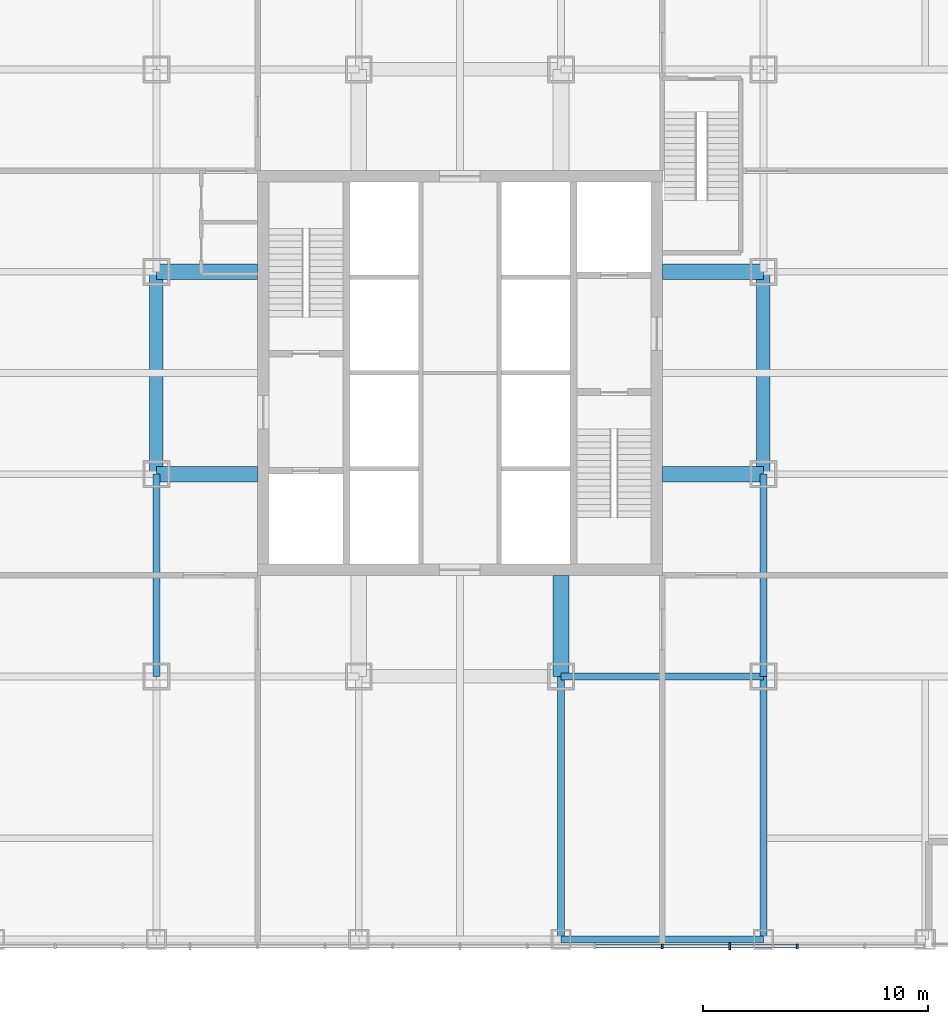
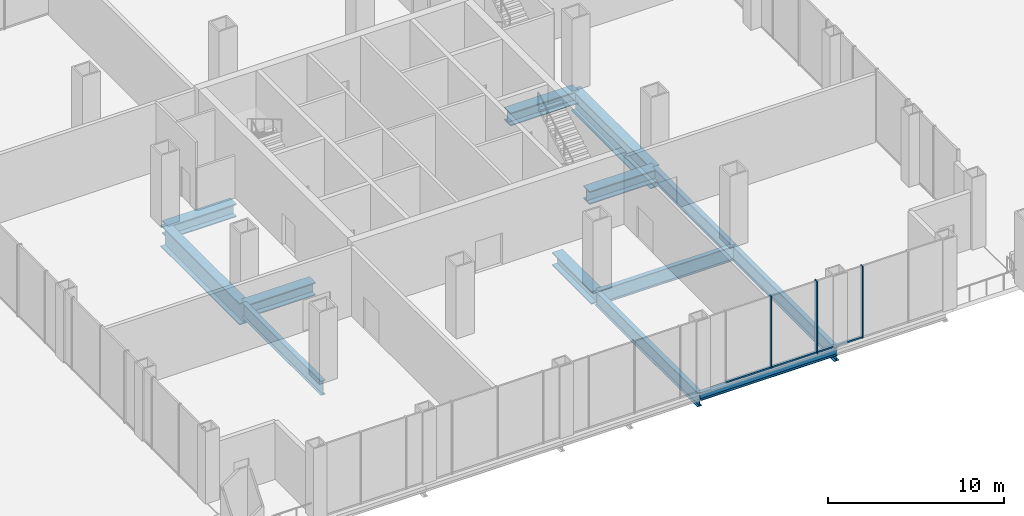
# One storey, part 5 of 16: 13 beams, 6 members, 1 element without a shape of its own.
"""IFC4 building model written with IfcOpenShell, lengths in metres."""

from ifc_helpers import new_model, si_unit, direction, frame, origin, origin_2d, place, context, subcontext, project, spatial, rectangle, i_section, extrude, material, layer, layer_set, material_profile, profile_set, type_object, element, aggregate, save


model = new_model("IFC4")

# Units and contexts
model_context = context("Model", 3, precision=1e-05, world=origin(), true_north=direction((0.0, 1.0)))
body_context = subcontext(model_context, "Body", "Model", "MODEL_VIEW")
ifc_project = project(units=[si_unit("LENGTHUNIT", "METRE"), si_unit("AREAUNIT", "SQUARE_METRE"), si_unit("VOLUMEUNIT", "CUBIC_METRE"), si_unit("PLANEANGLEUNIT", "RADIAN"), si_unit("MASSUNIT", "GRAM", prefix="KILO")], contexts=[model_context])

# Site, building, storey
site_placement = place(None, origin())
site = spatial("IfcSite", under=ifc_project, at=site_placement, CompositionType="ELEMENT")
building_placement = place(site_placement, origin())
building = spatial("IfcBuilding", under=site, at=building_placement, Name="Malebo Sky Hospital", CompositionType="ELEMENT")
storey_placement = place(building_placement, frame((0.0, 0.0, 26.0)))
storey = spatial("IfcBuildingStorey", under=building, at=storey_placement, Name="L05", CompositionType="ELEMENT", Elevation=26.0)

# Curtain wall, members
ifc_material_1 = material(Name="Anodised aluminium, natural silver", Category="aluminium")
ifc_layer = layer(ifc_material_1, 0.25)
ifc_layer_set = layer_set([ifc_layer], Name="PLANT LOUVRE SCREEN")
curtain_wall_type = type_object("IfcCurtainWallType", Name="PLANT LOUVRE SCREEN", PredefinedType="NOTDEFINED", material=ifc_layer_set)
curtain_wall_placement = place(storey_placement, origin())
curtain_wall = element("IfcCurtainWall", 1, at=curtain_wall_placement, inside=storey, type_object=curtain_wall_type, Name="PLANT curtain wall S", PredefinedType="NOTDEFINED")
ifc_material_profile_1 = material_profile(ifc_material_1, rectangle(XDim=0.14990234375, YDim=0.10009765625, at=origin_2d()), Name="ALUMINIUM TRANSOM 150x100")
ifc_profile_set_1 = profile_set([ifc_material_profile_1], Name="Anodised aluminium, natural silver")
member_type_1 = type_object("IfcMemberType", Name="ALUMINIUM TRANSOM 150x100", PredefinedType="USERDEFINED", material=ifc_profile_set_1)
member_1_placement = place(storey_placement, frame((74.96240234375, 36.5, 0.050048828125), z_axis=(-1.0, 0.0, 0.0), x_axis=(0.0, -1.0, 0.0)))
member_1 = element("IfcMember", 2, at=member_1_placement, type_object=member_type_1, Name="Transom 3", ObjectType="TRANSOM", PredefinedType="USERDEFINED", context=body_context, shape_type="SweptSolid", body=[
    extrude(rectangle(XDim=0.14990234375, YDim=0.10009765625, at=origin_2d()), origin(), (0.0, 0.0, 1.0), 2.9248046875),
])
member_2_placement = place(storey_placement, frame((71.96240234375, 36.5, 0.050048828125), z_axis=(-1.0, 0.0, 0.0), x_axis=(0.0, -1.0, 0.0)))
member_2 = element("IfcMember", 3, at=member_2_placement, type_object=member_type_1, Name="Transom 4", ObjectType="TRANSOM", PredefinedType="USERDEFINED", context=body_context, shape_type="SweptSolid", body=[
    extrude(rectangle(XDim=0.14990234375, YDim=0.10009765625, at=origin_2d()), origin(), (0.0, 0.0, 1.0), 2.9248046875),
])
member_3_placement = place(storey_placement, frame((68.96240234375, 36.5, 0.050048828125), z_axis=(-1.0, 0.0, 0.0), x_axis=(0.0, -1.0, 0.0)))
member_3 = element("IfcMember", 4, at=member_3_placement, type_object=member_type_1, Name="Transom 5", ObjectType="TRANSOM", PredefinedType="USERDEFINED", context=body_context, shape_type="SweptSolid", body=[
    extrude(rectangle(XDim=0.14990234375, YDim=0.10009765625, at=origin_2d()), origin(), (0.0, 0.0, 1.0), 2.9248046875),
])
ifc_material_profile_2 = material_profile(ifc_material_1, rectangle(XDim=0.074951171875, YDim=0.199951171875, at=origin_2d()), Name="CW5 ALUMINIUM FIN MULLION 75x200")
ifc_profile_set_2 = profile_set([ifc_material_profile_2], Name="Anodised aluminium, natural silver")
member_type_2 = type_object("IfcMemberType", Name="CW5 ALUMINIUM FIN MULLION 75x200", PredefinedType="MULLION", material=ifc_profile_set_2)
member_4_placement = place(storey_placement, frame((75.0, 36.5, 0.0), z_axis=(0.0, 0.0, 1.0), x_axis=(-1.0, 0.0, 0.0)))
member_4 = element("IfcMember", 5, at=member_4_placement, type_object=member_type_2, Name="Fin mullion 3", PredefinedType="MULLION", context=body_context, shape_type="SweptSolid", body=[
    extrude(rectangle(XDim=0.074951171875, YDim=0.199951171875, at=origin_2d()), origin(), (0.0, 0.0, 1.0), 5.0),
])
member_5_placement = place(storey_placement, frame((69.0, 36.5, 0.0), z_axis=(0.0, 0.0, 1.0), x_axis=(-1.0, 0.0, 0.0)))
member_5 = element("IfcMember", 6, at=member_5_placement, type_object=member_type_2, Name="Fin mullion 5", PredefinedType="MULLION", context=body_context, shape_type="SweptSolid", body=[
    extrude(rectangle(XDim=0.074951171875, YDim=0.199951171875, at=origin_2d()), origin(), (0.0, 0.0, 1.0), 5.0),
])
ifc_material_profile_3 = material_profile(ifc_material_1, rectangle(XDim=0.074951171875, YDim=0.300048828125, at=origin_2d()), Name="CW5 ALUMINIUM FIN MULLION 75x300")
ifc_profile_set_3 = profile_set([ifc_material_profile_3], Name="Anodised aluminium, natural silver")
member_type_3 = type_object("IfcMemberType", Name="CW5 ALUMINIUM FIN MULLION 75x300", PredefinedType="MULLION", material=ifc_profile_set_3)
member_6_placement = place(storey_placement, frame((72.0, 36.5, 0.0), z_axis=(0.0, 0.0, 1.0), x_axis=(-1.0, 0.0, 0.0)))
member_6 = element("IfcMember", 7, at=member_6_placement, type_object=member_type_3, Name="Fin mullion 4", PredefinedType="MULLION", context=body_context, shape_type="SweptSolid", body=[
    extrude(rectangle(XDim=0.074951171875, YDim=0.300048828125, at=origin_2d()), origin(), (0.0, 0.0, 1.0), 5.0),
])
aggregate(curtain_wall, [member_4, member_6, member_5, member_1, member_2, member_3])

# Beams
ifc_material_2 = material(Name="Steel S355", Category="steel")
ifc_material_profile_4 = material_profile(ifc_material_2, i_section(OverallWidth=0.305908203125, OverallDepth=0.52392578125, WebThickness=0.02099609375, FlangeThickness=0.0400390625, FilletRadius=0.027099609375, at=origin_2d()), Name="HEM 500")
ifc_profile_set_4 = profile_set([ifc_material_profile_4], Name="Steel S355")
beam_type_1 = type_object("IfcBeamType", Name="EDGE BEAM HEM 500", PredefinedType="BEAM", material=ifc_profile_set_4)
beam_1_placement = place(storey_placement, frame((64.5, 36.800048828125, -0.56201171875), z_axis=(1.0, 0.0, 0.0), x_axis=(0.0, 1.0, 0.0)))
element("IfcBeam", 8, at=beam_1_placement, inside=storey, type_object=beam_type_1, Name="Beam 037 L05", PredefinedType="BEAM", context=body_context, shape_type="SweptSolid", body=[
    extrude(i_section(OverallWidth=0.305908203125, OverallDepth=0.52392578125, WebThickness=0.02099609375, FlangeThickness=0.0400390625, FilletRadius=0.027099609375, at=origin_2d()), origin(), (0.0, 0.0, 1.0), 9.0),
])
ifc_material_profile_5 = material_profile(ifc_material_2, i_section(OverallWidth=0.300048828125, OverallDepth=1.0, WebThickness=0.01904296875, FlangeThickness=0.035888671875, FilletRadius=0.030029296875, at=origin_2d()), Name="HEB 1000")
ifc_profile_set_5 = profile_set([ifc_material_profile_5], Name="Steel S355")
beam_type_2 = type_object("IfcBeamType", Name="FLOOR BEAM HEB 1000", PredefinedType="BEAM", material=ifc_profile_set_5)
beam_2_placement = place(storey_placement, frame((46.5, 48.5, -0.800048828125), z_axis=(0.0, 1.0, 0.0), x_axis=(-1.0, 0.0, 0.0)))
element("IfcBeam", 9, at=beam_2_placement, inside=storey, type_object=beam_type_2, Name="Beam 008 L05", PredefinedType="BEAM", context=body_context, shape_type="SweptSolid", body=[
    extrude(i_section(OverallWidth=0.300048828125, OverallDepth=1.0, WebThickness=0.01904296875, FlangeThickness=0.035888671875, FilletRadius=0.030029296875, at=origin_2d()), origin(), (0.0, 0.0, 1.0), 9.0),
])
beam_3_placement = place(storey_placement, frame((64.5, 36.800048828125, -0.800048828125), z_axis=(0.0, 1.0, 0.0), x_axis=(-1.0, 0.0, 0.0)))
element("IfcBeam", 10, at=beam_3_placement, inside=storey, type_object=beam_type_2, Name="Beam 018 L05", PredefinedType="BEAM", context=body_context, shape_type="SweptSolid", body=[
    extrude(i_section(OverallWidth=0.300048828125, OverallDepth=1.0, WebThickness=0.01904296875, FlangeThickness=0.035888671875, FilletRadius=0.030029296875, at=origin_2d()), origin(), (0.0, 0.0, 1.0), 11.699951171875),
])
for number, where, z_axis, x_axis, name in (
    (11, (73.5, 48.5, -0.800048828125), (0.0, 1.0, 0.0), (-1.0, 0.0, 0.0), "Beam 023 L05"),
    (12, (64.5, 48.5, -0.800048828125), (1.0, 0.0, 0.0), (0.0, 1.0, 0.0), "Beam 044 L05"),
):
    element("IfcBeam", number, at=place(storey_placement, frame(where, z_axis=z_axis, x_axis=x_axis)), inside=storey, type_object=beam_type_2, Name=name, PredefinedType="BEAM", context=body_context, shape_type="SweptSolid", body=[
        extrude(i_section(OverallWidth=0.300048828125, OverallDepth=1.0, WebThickness=0.01904296875, FlangeThickness=0.035888671875, FilletRadius=0.030029296875, at=origin_2d()), origin(), (0.0, 0.0, 1.0), 9.0),
    ])
ifc_material_profile_6 = material_profile(ifc_material_2, i_section(OverallWidth=0.699951171875, OverallDepth=0.89990234375, WebThickness=0.0400390625, FlangeThickness=0.070068359375, at=origin_2d()), Name="PG 900x700x40x70")
ifc_profile_set_6 = profile_set([ifc_material_profile_6], Name="Steel S355")
beam_type_3 = type_object("IfcBeamType", Name="FLOOR BEAM PG 900x700x40x70", PredefinedType="BEAM", material=ifc_profile_set_6)
for number, where, z_axis, x_axis, name in (
    (13, (64.5, 48.5, -0.75), (0.0, 1.0, 0.0), (-1.0, 0.0, 0.0), "Beam 019 L05"),
    (14, (46.5, 57.5, -0.75), (1.0, 0.0, 0.0), (0.0, 1.0, 0.0), "Beam 047 L05"),
    (15, (69.0, 57.5, -0.75), (1.0, 0.0, 0.0), (0.0, 1.0, 0.0), "Beam 048 L05"),
    (16, (46.5, 66.5, -0.75), (1.0, 0.0, 0.0), (0.0, 1.0, 0.0), "Beam 053 L05"),
    (17, (69.0, 66.5, -0.75), (1.0, 0.0, 0.0), (0.0, 1.0, 0.0), "Beam 054 L05"),
):
    element("IfcBeam", number, at=place(storey_placement, frame(where, z_axis=z_axis, x_axis=x_axis)), inside=storey, type_object=beam_type_3, Name=name, PredefinedType="BEAM", context=body_context, shape_type="SweptSolid", body=[
        extrude(i_section(OverallWidth=0.699951171875, OverallDepth=0.89990234375, WebThickness=0.0400390625, FlangeThickness=0.070068359375, at=origin_2d()), origin(), (0.0, 0.0, 1.0), 4.5),
    ])
ifc_material_profile_7 = material_profile(ifc_material_2, i_section(OverallWidth=0.300048828125, OverallDepth=1.0, WebThickness=0.01904296875, FlangeThickness=0.035888671875, FilletRadius=0.030029296875, at=origin_2d()), Name="HEB 1000")
ifc_profile_set_7 = profile_set([ifc_material_profile_7], Name="Steel S355")
beam_type_4 = type_object("IfcBeamType", Name="FLOOR GIRDER HEB 1000", PredefinedType="BEAM", material=ifc_profile_set_7)
beam_4_placement = place(storey_placement, frame((73.5, 36.800048828125, -0.800048828125), z_axis=(0.0, 1.0, 0.0), x_axis=(-1.0, 0.0, 0.0)))
element("IfcBeam", 18, at=beam_4_placement, inside=storey, type_object=beam_type_4, Name="Beam 022 L05", PredefinedType="BEAM", context=body_context, shape_type="SweptSolid", body=[
    extrude(i_section(OverallWidth=0.300048828125, OverallDepth=1.0, WebThickness=0.01904296875, FlangeThickness=0.035888671875, FilletRadius=0.030029296875, at=origin_2d()), origin(), (0.0, 0.0, 1.0), 11.699951171875),
])
ifc_material_profile_8 = material_profile(ifc_material_2, i_section(OverallWidth=0.60009765625, OverallDepth=1.5, WebThickness=0.030029296875, FlangeThickness=0.06005859375, at=origin_2d()), Name="PG 1500x600x30x60")
ifc_profile_set_8 = profile_set([ifc_material_profile_8], Name="Steel S355")
beam_type_5 = type_object("IfcBeamType", Name="RING GIRDER PG 1500x600x30x60", PredefinedType="BEAM", material=ifc_profile_set_8)
for number, where, z_axis, x_axis, name in (
    (19, (46.5, 57.5, -1.050048828125), (0.0, 1.0, 0.0), (-1.0, 0.0, 0.0), "Beam 009 L05"),
    (20, (73.5, 57.5, -1.050048828125), (0.0, 1.0, 0.0), (-1.0, 0.0, 0.0), "Beam 024 L05"),
):
    element("IfcBeam", number, at=place(storey_placement, frame(where, z_axis=z_axis, x_axis=x_axis)), inside=storey, type_object=beam_type_5, Name=name, PredefinedType="BEAM", context=body_context, shape_type="SweptSolid", body=[
        extrude(i_section(OverallWidth=0.60009765625, OverallDepth=1.5, WebThickness=0.030029296875, FlangeThickness=0.06005859375, at=origin_2d()), origin(), (0.0, 0.0, 1.0), 9.0),
    ])

save(model, "model.ifc")
